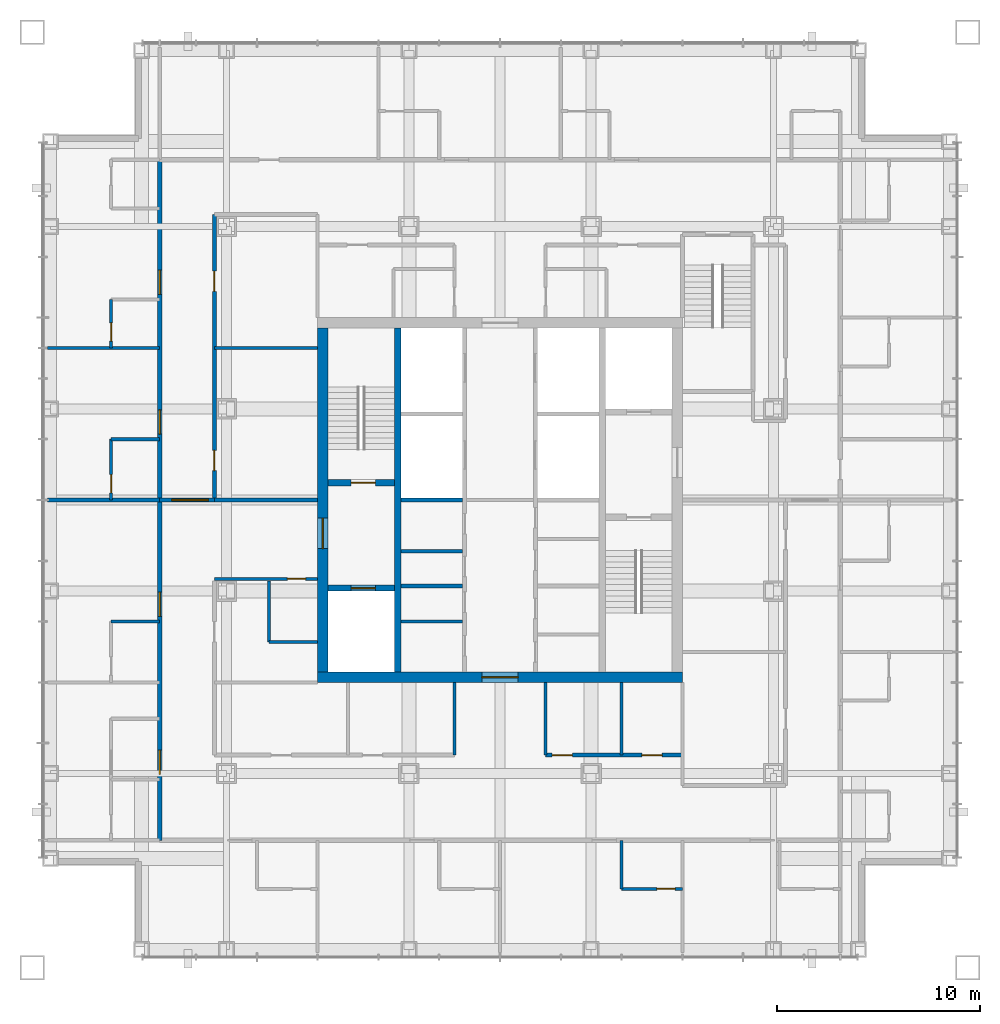
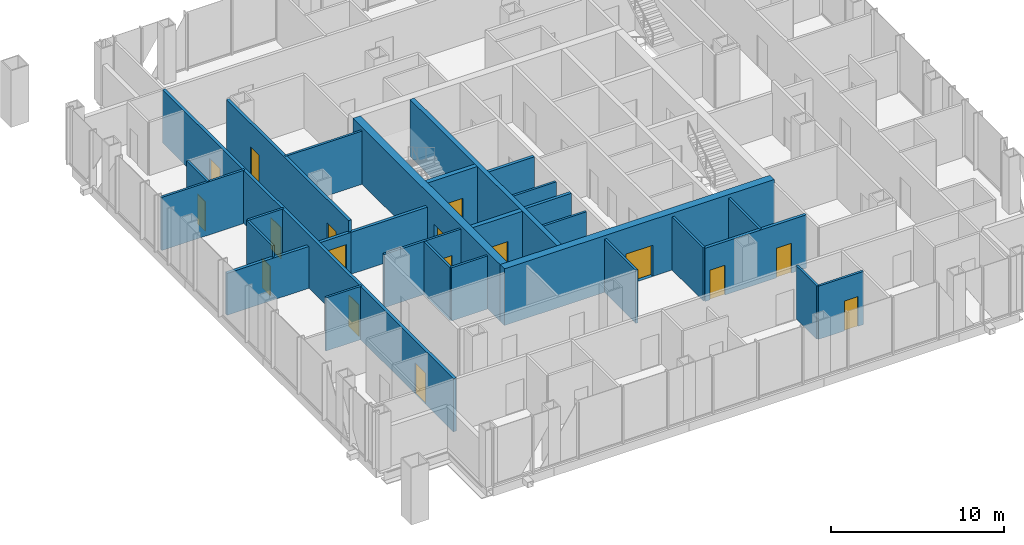
# One storey, part 8 of 12: 29 walls, 17 doors, 17 openings.
"""IFC4 building model written with IfcOpenShell, lengths in metres."""

from ifc_helpers import new_model, si_unit, direction, frame, frame_2d, origin, place, context, subcontext, project, spatial, rectangle, extrude, material, layer, layer_set, type_object, element, fill, save


model = new_model("IFC4")

# Units and contexts
model_context = context("Model", 3, precision=1e-05, world=origin(), true_north=direction((0.0, 1.0)))
body_context = subcontext(model_context, "Body", "Model", "MODEL_VIEW")
ifc_project = project(units=[si_unit("LENGTHUNIT", "METRE"), si_unit("AREAUNIT", "SQUARE_METRE"), si_unit("VOLUMEUNIT", "CUBIC_METRE"), si_unit("PLANEANGLEUNIT", "RADIAN"), si_unit("MASSUNIT", "GRAM", prefix="KILO")], contexts=[model_context])

# Site, building, storey
site_placement = place(None, origin())
site = spatial("IfcSite", under=ifc_project, at=site_placement, CompositionType="ELEMENT")
building_placement = place(site_placement, origin())
building = spatial("IfcBuilding", under=site, at=building_placement, Name="Malebo Sky Hospital", CompositionType="ELEMENT")
storey_placement = place(building_placement, frame((0.0, 0.0, 221.0)))
storey = spatial("IfcBuildingStorey", under=building, at=storey_placement, Name="L53", CompositionType="ELEMENT", Elevation=221.0)

# Walls
ifc_material_1 = material(Name="Concrete C80/95", Category="concrete")
ifc_layer_1 = layer(ifc_material_1, 0.199951171875)
ifc_layer_set_1 = layer_set([ifc_layer_1], Name="CORE INNER WALL 200")
wall_type_1 = type_object("IfcWallType", Name="CORE INNER WALL 200", PredefinedType="SHEAR", material=ifc_layer_set_1)
for number, where, z_axis, x_axis, name in (
    (1, (55.10009765625, 57.75, 0.0), (0.0, 0.0, 1.0), (1.0, 0.0, 0.0), "Core wall SW0 L53"),
    (2, (55.10009765625, 62.0, 0.0), (0.0, 0.0, 1.0), (1.0, 0.0, 0.0), "Core wall SW1 L53"),
):
    element("IfcWall", number, at=place(storey_placement, frame(where, z_axis=z_axis, x_axis=x_axis)), inside=storey, type_object=wall_type_1, Name=name, PredefinedType="SHEAR", context=body_context, shape_type="SweptSolid", body=[
        extrude(rectangle(XDim=3.0498046875, YDim=0.199951171875, at=frame_2d((1.52490234375, 0.0))), origin(), (0.0, 0.0, 1.0), 4.0),
    ])
ifc_layer_2 = layer(ifc_material_1, 0.300048828125)
ifc_layer_set_2 = layer_set([ifc_layer_2], Name="CORE INNER WALL 300")
wall_type_2 = type_object("IfcWallType", Name="CORE INNER WALL 300", PredefinedType="SHEAR", material=ifc_layer_set_2)
wall_1_placement = place(storey_placement, frame((54.949951171875, 53.5, 0.0), z_axis=(0.0, 0.0, 1.0), x_axis=(0.0, 1.0, 0.0)))
element("IfcWall", 3, at=wall_1_placement, inside=storey, type_object=wall_type_2, Name="Core wall XW L53", PredefinedType="SHEAR", context=body_context, shape_type="SweptSolid", body=[
    extrude(rectangle(XDim=17.0, YDim=0.300048828125, at=frame_2d((8.5, 0.0))), origin(), (0.0, 0.0, 1.0), 4.0),
])

# Wall, opening, door
wall_2_placement = place(storey_placement, frame((51.5, 62.85009765625, 0.0), z_axis=(0.0, 0.0, 1.0), x_axis=(1.0, 0.0, 0.0)))
wall_2 = element("IfcWall", 4, at=wall_2_placement, inside=storey, type_object=wall_type_2, Name="Core wall W1 L53", PredefinedType="SHEAR", context=body_context, shape_type="SweptSolid", body=[
    extrude(rectangle(XDim=3.300048828125, YDim=0.300048828125, at=frame_2d((1.64990234375, 0.0))), origin(), (0.0, 0.0, 1.0), 4.0),
])
opening_1_placement = place(wall_2_placement, frame((1.14990234375, 0.0, 0.0)))
opening_1 = element("IfcOpeningElement", 5, at=opening_1_placement, cuts=wall_2, Name="Opening D08", PredefinedType="OPENING", context=body_context, shape_type="SweptSolid", body=[
    extrude(rectangle(XDim=1.199951171875, YDim=2.10009765625, at=frame_2d((0.60009765625, 1.050048828125))), frame((0.0, 0.159912109375, 0.0), z_axis=(0.0, -1.0, 0.0), x_axis=(1.0, 0.0, 0.0)), (0.0, 0.0, 1.0), 0.320068359375),
])
ifc_material_2 = material(Name="Hardwood-faced door leaf in steel frame", Category="steel")
door_type_1 = type_object("IfcDoorType", Name="STAIR DOOR 1200", OperationType="SINGLE_SWING_LEFT", PredefinedType="DOOR", material=ifc_material_2)
door_1_placement = place(opening_1_placement, origin())
door_1 = element("IfcDoor", 6, at=door_1_placement, inside=storey, type_object=door_type_1, Name="Stair S1 door", OperationType="SINGLE_SWING_RIGHT", OverallHeight=2.10009765625, OverallWidth=1.199951171875, PredefinedType="DOOR", context=body_context, shape_type="SweptSolid", body=[
    extrude(rectangle(XDim=1.199951171875, YDim=2.10009765625, at=frame_2d((0.60009765625, 1.050048828125))), frame((0.0, 0.02490234375, 0.0), z_axis=(0.0, -1.0, 0.0), x_axis=(1.0, 0.0, 0.0)), (0.0, 0.0, 1.0), 0.050048828125),
])
fill(opening_1, door_1)

wall_3_placement = place(storey_placement, frame((51.5, 57.64990234375, 0.0), z_axis=(0.0, 0.0, 1.0), x_axis=(1.0, 0.0, 0.0)))
wall_3 = element("IfcWall", 7, at=wall_3_placement, inside=storey, type_object=wall_type_2, Name="Core wall W2 L53", PredefinedType="SHEAR", context=body_context, shape_type="SweptSolid", body=[
    extrude(rectangle(XDim=3.300048828125, YDim=0.300048828125, at=frame_2d((1.64990234375, 0.0))), origin(), (0.0, 0.0, 1.0), 4.0),
])
opening_2_placement = place(wall_3_placement, frame((1.14990234375, 0.0, 0.0)))
opening_2 = element("IfcOpeningElement", 8, at=opening_2_placement, cuts=wall_3, Name="Opening LD2", PredefinedType="OPENING", context=body_context, shape_type="SweptSolid", body=[
    extrude(rectangle(XDim=1.199951171875, YDim=2.199951171875, at=frame_2d((0.60009765625, 1.10009765625))), frame((0.0, 0.159912109375, 0.0), z_axis=(0.0, -1.0, 0.0), x_axis=(1.0, 0.0, 0.0)), (0.0, 0.0, 1.0), 0.320068359375),
])
ifc_material_3 = material(Name="Stainless steel sliding landing door", Category="steel")
door_type_2 = type_object("IfcDoorType", Name="FIRE-FIGHTING LIFT LANDING DOOR 1200", OperationType="SLIDING_TO_LEFT", PredefinedType="DOOR", material=ifc_material_3)
door_2_placement = place(opening_2_placement, origin())
door_2 = element("IfcDoor", 9, at=door_2_placement, inside=storey, type_object=door_type_2, Name="Lift FL1 landing door", OperationType="SLIDING_TO_LEFT", OverallHeight=2.199951171875, OverallWidth=1.199951171875, PredefinedType="DOOR", context=body_context, shape_type="SweptSolid", body=[
    extrude(rectangle(XDim=1.199951171875, YDim=2.199951171875, at=frame_2d((0.60009765625, 1.10009765625))), frame((0.0, 0.02490234375, 0.0), z_axis=(0.0, -1.0, 0.0), x_axis=(1.0, 0.0, 0.0)), (0.0, 0.0, 1.0), 0.050048828125),
])
fill(opening_2, door_2)

ifc_layer_3 = layer(ifc_material_1, 0.5)
ifc_layer_set_3 = layer_set([ifc_layer_3], Name="CORE WALL 500")
wall_type_3 = type_object("IfcWallType", Name="CORE WALL 500", PredefinedType="SHEAR", material=ifc_layer_set_3)
wall_4_placement = place(storey_placement, frame((51.0, 53.25, 0.0), z_axis=(0.0, 0.0, 1.0), x_axis=(1.0, 0.0, 0.0)))
wall_4 = element("IfcWall", 10, at=wall_4_placement, inside=storey, type_object=wall_type_3, Name="Core wall S L53", PredefinedType="SHEAR", context=body_context, shape_type="SweptSolid", body=[
    extrude(rectangle(XDim=18.0, YDim=0.5, at=frame_2d((9.0, 0.0))), origin(), (0.0, 0.0, 1.0), 4.0),
])
opening_3_placement = place(wall_4_placement, frame((8.10009765625, 0.0, 0.0)))
opening_3 = element("IfcOpeningElement", 11, at=opening_3_placement, cuts=wall_4, Name="Opening D06", PredefinedType="OPENING", context=body_context, shape_type="SweptSolid", body=[
    extrude(rectangle(XDim=1.800048828125, YDim=2.199951171875, at=frame_2d((0.89990234375, 1.10009765625))), frame((0.0, 0.260009765625, 0.0), z_axis=(0.0, -1.0, 0.0), x_axis=(1.0, 0.0, 0.0)), (0.0, 0.0, 1.0), 0.52001953125),
])
door_type_3 = type_object("IfcDoorType", Name="LOBBY DOOR PAIR 1800", OperationType="DOUBLE_DOOR_SINGLE_SWING", PredefinedType="DOOR", material=ifc_material_2)
door_3_placement = place(opening_3_placement, origin())
door_3 = element("IfcDoor", 12, at=door_3_placement, inside=storey, type_object=door_type_3, Name="Service lobby door south", OperationType="DOUBLE_DOOR_SINGLE_SWING", OverallHeight=2.199951171875, OverallWidth=1.800048828125, PredefinedType="DOOR", context=body_context, shape_type="SweptSolid", body=[
    extrude(rectangle(XDim=1.800048828125, YDim=2.199951171875, at=frame_2d((0.89990234375, 1.10009765625))), frame((0.0, 0.02490234375, 0.0), z_axis=(0.0, -1.0, 0.0), x_axis=(1.0, 0.0, 0.0)), (0.0, 0.0, 1.0), 0.050048828125),
])
fill(opening_3, door_3)

wall_5_placement = place(storey_placement, frame((51.25, 53.5, 0.0), z_axis=(0.0, 0.0, 1.0), x_axis=(0.0, 1.0, 0.0)))
wall_5 = element("IfcWall", 13, at=wall_5_placement, inside=storey, type_object=wall_type_3, Name="Core wall W L53", PredefinedType="SHEAR", context=body_context, shape_type="SweptSolid", body=[
    extrude(rectangle(XDim=17.0, YDim=0.5, at=frame_2d((8.5, 0.0))), origin(), (0.0, 0.0, 1.0), 4.0),
])
opening_4_placement = place(wall_5_placement, frame((6.10009765625, 0.0, 0.0)))
opening_4 = element("IfcOpeningElement", 14, at=opening_4_placement, cuts=wall_5, Name="Opening D07", PredefinedType="OPENING", context=body_context, shape_type="SweptSolid", body=[
    extrude(rectangle(XDim=1.5, YDim=2.199951171875, at=frame_2d((0.75, 1.10009765625))), frame((0.0, 0.260009765625, 0.0), z_axis=(0.0, -1.0, 0.0), x_axis=(1.0, 0.0, 0.0)), (0.0, 0.0, 1.0), 0.52001953125),
])
door_type_4 = type_object("IfcDoorType", Name="FIRE-FIGHTING LOBBY DOOR PAIR 1500", OperationType="DOUBLE_DOOR_SINGLE_SWING", PredefinedType="DOOR", material=ifc_material_2)
door_4_placement = place(opening_4_placement, origin())
door_4 = element("IfcDoor", 15, at=door_4_placement, inside=storey, type_object=door_type_4, Name="Fire-fighting lobby door west", OperationType="DOUBLE_DOOR_SINGLE_SWING", OverallHeight=2.199951171875, OverallWidth=1.5, PredefinedType="DOOR", context=body_context, shape_type="SweptSolid", body=[
    extrude(rectangle(XDim=1.5, YDim=2.199951171875, at=frame_2d((0.75, 1.10009765625))), frame((0.0, 0.02490234375, 0.0), z_axis=(0.0, -1.0, 0.0), x_axis=(1.0, 0.0, 0.0)), (0.0, 0.0, 1.0), 0.050048828125),
])
fill(opening_4, door_4)

# Wall, openings, doors
ifc_material_4 = material(Name="Gypsum board on steel studs", Category="steel")
ifc_layer_4 = layer(ifc_material_4, 0.199951171875)
ifc_layer_set_4 = layer_set([ifc_layer_4], Name="CORRIDOR WALL 200")
wall_type_4 = type_object("IfcWallType", Name="CORRIDOR WALL 200", PredefinedType="PARTITIONING", material=ifc_layer_set_4)
wall_6_placement = place(storey_placement, frame((43.199951171875, 45.199951171875, 0.0), z_axis=(0.0, 0.0, 1.0), x_axis=(0.0, 1.0, 0.0)))
wall_6 = element("IfcWall", 16, at=wall_6_placement, inside=storey, type_object=wall_type_4, Name="Corridor Wall 200 WCO", PredefinedType="PARTITIONING", context=body_context, shape_type="SweptSolid", body=[
    extrude(rectangle(XDim=33.60009765625, YDim=0.199951171875, at=frame_2d((16.800048828125, 0.0))), origin(), (0.0, 0.0, 1.0), 3.75),
])
opening_5_placement = place(wall_6_placement, frame((3.25, 0.0, 0.0)))
opening_5 = element("IfcOpeningElement", 17, at=opening_5_placement, cuts=wall_6, Name="Opening D18", PredefinedType="OPENING", context=body_context, shape_type="SweptSolid", body=[
    extrude(rectangle(XDim=1.199951171875, YDim=2.199951171875, at=frame_2d((0.60009765625, 1.10009765625))), frame((0.0, 0.10986328125, 0.0), z_axis=(0.0, -1.0, 0.0), x_axis=(1.0, 0.0, 0.0)), (0.0, 0.0, 1.0), 0.219970703125),
])
opening_6_placement = place(wall_6_placement, frame((11.050048828125, 0.0, 0.0)))
opening_6 = element("IfcOpeningElement", 18, at=opening_6_placement, cuts=wall_6, Name="Opening D01", PredefinedType="OPENING", context=body_context, shape_type="SweptSolid", body=[
    extrude(rectangle(XDim=1.199951171875, YDim=2.199951171875, at=frame_2d((0.60009765625, 1.10009765625))), frame((0.0, 0.10986328125, 0.0), z_axis=(0.0, -1.0, 0.0), x_axis=(1.0, 0.0, 0.0)), (0.0, 0.0, 1.0), 0.219970703125),
])
opening_7_placement = place(wall_6_placement, frame((20.050048828125, 0.0, 0.0)))
opening_7 = element("IfcOpeningElement", 19, at=opening_7_placement, cuts=wall_6, Name="Opening D01", PredefinedType="OPENING", context=body_context, shape_type="SweptSolid", body=[
    extrude(rectangle(XDim=1.199951171875, YDim=2.199951171875, at=frame_2d((0.60009765625, 1.10009765625))), frame((0.0, 0.10986328125, 0.0), z_axis=(0.0, -1.0, 0.0), x_axis=(1.0, 0.0, 0.0)), (0.0, 0.0, 1.0), 0.219970703125),
])
opening_8_placement = place(wall_6_placement, frame((26.949951171875, 0.0, 0.0)))
opening_8 = element("IfcOpeningElement", 20, at=opening_8_placement, cuts=wall_6, Name="Opening D01", PredefinedType="OPENING", context=body_context, shape_type="SweptSolid", body=[
    extrude(rectangle(XDim=1.199951171875, YDim=2.199951171875, at=frame_2d((0.60009765625, 1.10009765625))), frame((0.0, 0.10986328125, 0.0), z_axis=(0.0, -1.0, 0.0), x_axis=(1.0, 0.0, 0.0)), (0.0, 0.0, 1.0), 0.219970703125),
])
door_type_5 = type_object("IfcDoorType", Name="ANTEROOM DOOR 1200", OperationType="SINGLE_SWING_LEFT", PredefinedType="DOOR", material=ifc_material_2)
door_5_placement = place(opening_5_placement, origin())
door_5 = element("IfcDoor", 21, at=door_5_placement, inside=storey, type_object=door_type_5, Name="Anteroom door", OperationType="SINGLE_SWING_LEFT", OverallHeight=2.199951171875, OverallWidth=1.199951171875, PredefinedType="DOOR", context=body_context, shape_type="SweptSolid", body=[
    extrude(rectangle(XDim=1.199951171875, YDim=2.199951171875, at=frame_2d((0.60009765625, 1.10009765625))), frame((0.0, 0.02490234375, 0.0), z_axis=(0.0, -1.0, 0.0), x_axis=(1.0, 0.0, 0.0)), (0.0, 0.0, 1.0), 0.050048828125),
])
fill(opening_5, door_5)
door_type_6 = type_object("IfcDoorType", Name="BED DOOR 1200", OperationType="SINGLE_SWING_LEFT", PredefinedType="DOOR", material=ifc_material_2)
door_6_placement = place(opening_6_placement, origin())
door_6 = element("IfcDoor", 22, at=door_6_placement, inside=storey, type_object=door_type_6, Name="Two-bed room door", OperationType="SINGLE_SWING_LEFT", OverallHeight=2.199951171875, OverallWidth=1.199951171875, PredefinedType="DOOR", context=body_context, shape_type="SweptSolid", body=[
    extrude(rectangle(XDim=1.199951171875, YDim=2.199951171875, at=frame_2d((0.60009765625, 1.10009765625))), frame((0.0, 0.02490234375, 0.0), z_axis=(0.0, -1.0, 0.0), x_axis=(1.0, 0.0, 0.0)), (0.0, 0.0, 1.0), 0.050048828125),
])
fill(opening_6, door_6)
door_7_placement = place(opening_7_placement, origin())
door_7 = element("IfcDoor", 23, at=door_7_placement, inside=storey, type_object=door_type_6, Name="Two-bed room door", OperationType="SINGLE_SWING_LEFT", OverallHeight=2.199951171875, OverallWidth=1.199951171875, PredefinedType="DOOR", context=body_context, shape_type="SweptSolid", body=[
    extrude(rectangle(XDim=1.199951171875, YDim=2.199951171875, at=frame_2d((0.60009765625, 1.10009765625))), frame((0.0, 0.02490234375, 0.0), z_axis=(0.0, -1.0, 0.0), x_axis=(1.0, 0.0, 0.0)), (0.0, 0.0, 1.0), 0.050048828125),
])
fill(opening_7, door_7)
door_8_placement = place(opening_8_placement, origin())
door_8 = element("IfcDoor", 24, at=door_8_placement, inside=storey, type_object=door_type_6, Name="Four-bed bay door", OperationType="SINGLE_SWING_LEFT", OverallHeight=2.199951171875, OverallWidth=1.199951171875, PredefinedType="DOOR", context=body_context, shape_type="SweptSolid", body=[
    extrude(rectangle(XDim=1.199951171875, YDim=2.199951171875, at=frame_2d((0.60009765625, 1.10009765625))), frame((0.0, 0.02490234375, 0.0), z_axis=(0.0, -1.0, 0.0), x_axis=(1.0, 0.0, 0.0)), (0.0, 0.0, 1.0), 0.050048828125),
])
fill(opening_8, door_8)

wall_7_placement = place(storey_placement, frame((45.89990234375, 62.0, 0.0), z_axis=(0.0, 0.0, 1.0), x_axis=(0.0, 1.0, 0.0)))
wall_7 = element("IfcWall", 25, at=wall_7_placement, inside=storey, type_object=wall_type_4, Name="Corridor Wall 200 WCI2", PredefinedType="PARTITIONING", context=body_context, shape_type="SweptSolid", body=[
    extrude(rectangle(XDim=14.10009765625, YDim=0.199951171875, at=frame_2d((7.050048828125, 0.0))), origin(), (0.0, 0.0, 1.0), 3.75),
])
opening_9_placement = place(wall_7_placement, frame((1.449951171875, 0.0, 0.0)))
opening_9 = element("IfcOpeningElement", 26, at=opening_9_placement, cuts=wall_7, Name="Opening D03", PredefinedType="OPENING", context=body_context, shape_type="SweptSolid", body=[
    extrude(rectangle(XDim=1.0, YDim=2.10009765625, at=frame_2d((0.5, 1.050048828125))), frame((0.0, 0.10986328125, 0.0), z_axis=(0.0, -1.0, 0.0), x_axis=(1.0, 0.0, 0.0)), (0.0, 0.0, 1.0), 0.219970703125),
])
opening_10_placement = place(wall_7_placement, frame((10.300048828125, 0.0, 0.0)))
opening_10 = element("IfcOpeningElement", 27, at=opening_10_placement, cuts=wall_7, Name="Opening D03", PredefinedType="OPENING", context=body_context, shape_type="SweptSolid", body=[
    extrude(rectangle(XDim=1.0, YDim=2.10009765625, at=frame_2d((0.5, 1.050048828125))), frame((0.0, 0.10986328125, 0.0), z_axis=(0.0, -1.0, 0.0), x_axis=(1.0, 0.0, 0.0)), (0.0, 0.0, 1.0), 0.219970703125),
])
door_type_7 = type_object("IfcDoorType", Name="ROOM DOOR 1000", OperationType="SINGLE_SWING_LEFT", PredefinedType="DOOR", material=ifc_material_2)
door_9_placement = place(opening_9_placement, origin())
door_9 = element("IfcDoor", 28, at=door_9_placement, inside=storey, type_object=door_type_7, Name="Nurse station door", OperationType="SINGLE_SWING_LEFT", OverallHeight=2.10009765625, OverallWidth=1.0, PredefinedType="DOOR", context=body_context, shape_type="SweptSolid", body=[
    extrude(rectangle(XDim=1.0, YDim=2.10009765625, at=frame_2d((0.5, 1.050048828125))), frame((0.0, 0.02490234375, 0.0), z_axis=(0.0, -1.0, 0.0), x_axis=(1.0, 0.0, 0.0)), (0.0, 0.0, 1.0), 0.050048828125),
])
fill(opening_9, door_9)
door_10_placement = place(opening_10_placement, origin())
door_10 = element("IfcDoor", 29, at=door_10_placement, inside=storey, type_object=door_type_7, Name="Milk kitchen door", OperationType="SINGLE_SWING_RIGHT", OverallHeight=2.10009765625, OverallWidth=1.0, PredefinedType="DOOR", context=body_context, shape_type="SweptSolid", body=[
    extrude(rectangle(XDim=1.0, YDim=2.10009765625, at=frame_2d((0.5, 1.050048828125))), frame((0.0, 0.02490234375, 0.0), z_axis=(0.0, -1.0, 0.0), x_axis=(1.0, 0.0, 0.0)), (0.0, 0.0, 1.0), 0.050048828125),
])
fill(opening_10, door_10)

wall_8_placement = place(storey_placement, frame((69.0, 49.39990234375, 0.0), z_axis=(0.0, 0.0, 1.0), x_axis=(-1.0, 0.0, 0.0)))
wall_8 = element("IfcWall", 30, at=wall_8_placement, inside=storey, type_object=wall_type_4, Name="Corridor Wall 200 SCI1", PredefinedType="PARTITIONING", context=body_context, shape_type="SweptSolid", body=[
    extrude(rectangle(XDim=6.75, YDim=0.199951171875, at=frame_2d((3.375, 0.0))), origin(), (0.0, 0.0, 1.0), 3.75),
])
opening_11_placement = place(wall_8_placement, frame((1.0, 0.0, 0.0)))
opening_11 = element("IfcOpeningElement", 31, at=opening_11_placement, cuts=wall_8, Name="Opening D03", PredefinedType="OPENING", context=body_context, shape_type="SweptSolid", body=[
    extrude(rectangle(XDim=1.0, YDim=2.10009765625, at=frame_2d((0.5, 1.050048828125))), frame((0.0, 0.10986328125, 0.0), z_axis=(0.0, -1.0, 0.0), x_axis=(1.0, 0.0, 0.0)), (0.0, 0.0, 1.0), 0.219970703125),
])
opening_12_placement = place(wall_8_placement, frame((5.425048828125, 0.0, 0.0)))
opening_12 = element("IfcOpeningElement", 32, at=opening_12_placement, cuts=wall_8, Name="Opening D03", PredefinedType="OPENING", context=body_context, shape_type="SweptSolid", body=[
    extrude(rectangle(XDim=1.0, YDim=2.10009765625, at=frame_2d((0.5, 1.050048828125))), frame((0.0, 0.10986328125, 0.0), z_axis=(0.0, -1.0, 0.0), x_axis=(1.0, 0.0, 0.0)), (0.0, 0.0, 1.0), 0.219970703125),
])
door_11_placement = place(opening_11_placement, origin())
door_11 = element("IfcDoor", 33, at=door_11_placement, inside=storey, type_object=door_type_7, Name="Linen store door", OperationType="SINGLE_SWING_LEFT", OverallHeight=2.10009765625, OverallWidth=1.0, PredefinedType="DOOR", context=body_context, shape_type="SweptSolid", body=[
    extrude(rectangle(XDim=1.0, YDim=2.10009765625, at=frame_2d((0.5, 1.050048828125))), frame((0.0, 0.02490234375, 0.0), z_axis=(0.0, -1.0, 0.0), x_axis=(1.0, 0.0, 0.0)), (0.0, 0.0, 1.0), 0.050048828125),
])
fill(opening_11, door_11)
door_12_placement = place(opening_12_placement, origin())
door_12 = element("IfcDoor", 34, at=door_12_placement, inside=storey, type_object=door_type_7, Name="Equipment store door", OperationType="SINGLE_SWING_RIGHT", OverallHeight=2.10009765625, OverallWidth=1.0, PredefinedType="DOOR", context=body_context, shape_type="SweptSolid", body=[
    extrude(rectangle(XDim=1.0, YDim=2.10009765625, at=frame_2d((0.5, 1.050048828125))), frame((0.0, 0.02490234375, 0.0), z_axis=(0.0, -1.0, 0.0), x_axis=(1.0, 0.0, 0.0)), (0.0, 0.0, 1.0), 0.050048828125),
])
fill(opening_12, door_12)

# Walls
ifc_layer_5 = layer(ifc_material_4, 0.14990234375)
ifc_layer_set_5 = layer_set([ifc_layer_5], Name="PARTITION 150")
wall_type_5 = type_object("IfcWallType", Name="PARTITION 150", PredefinedType="PARTITIONING", material=ifc_layer_set_5)
wall_9_placement = place(storey_placement, frame((43.199951171875, 69.5, 0.0), z_axis=(0.0, 0.0, 1.0), x_axis=(-1.0, 0.0, 0.0)))
element("IfcWall", 35, at=wall_9_placement, inside=storey, type_object=wall_type_5, Name="Partition 150 WP+7.5", PredefinedType="PARTITIONING", context=body_context, shape_type="SweptSolid", body=[
    extrude(rectangle(XDim=5.550048828125, YDim=0.14990234375, at=frame_2d((2.77490234375, 0.0))), origin(), (0.0, 0.0, 1.0), 3.75),
])
wall_10_placement = place(storey_placement, frame((43.199951171875, 56.0, 0.0), z_axis=(0.0, 0.0, 1.0), x_axis=(-1.0, 0.0, 0.0)))
element("IfcWall", 36, at=wall_10_placement, inside=storey, type_object=wall_type_5, Name="Partition 150 WE1S", PredefinedType="PARTITIONING", context=body_context, shape_type="SweptSolid", body=[
    extrude(rectangle(XDim=2.39990234375, YDim=0.14990234375, at=frame_2d((1.199951171875, 0.0))), origin(), (0.0, 0.0, 1.0), 3.75),
])

# Wall, opening, door
wall_11_placement = place(storey_placement, frame((40.800048828125, 62.0, 0.0), z_axis=(0.0, 0.0, 1.0), x_axis=(0.0, 1.0, 0.0)))
wall_11 = element("IfcWall", 37, at=wall_11_placement, inside=storey, type_object=wall_type_5, Name="Partition 150 WE2F", PredefinedType="PARTITIONING", context=body_context, shape_type="SweptSolid", body=[
    extrude(rectangle(XDim=3.0, YDim=0.14990234375, at=frame_2d((1.5, 0.0))), origin(), (0.0, 0.0, 1.0), 3.75),
])
opening_13_placement = place(wall_11_placement, frame((0.35009765625, 0.0, 0.0)))
opening_13 = element("IfcOpeningElement", 38, at=opening_13_placement, cuts=wall_11, Name="Opening D02", PredefinedType="OPENING", context=body_context, shape_type="SweptSolid", body=[
    extrude(rectangle(XDim=0.89990234375, YDim=2.10009765625, at=frame_2d((0.449951171875, 1.050048828125))), frame((0.0, 0.0849609375, 0.0), z_axis=(0.0, -1.0, 0.0), x_axis=(1.0, 0.0, 0.0)), (0.0, 0.0, 1.0), 0.169921875),
])
door_type_8 = type_object("IfcDoorType", Name="EN-SUITE DOOR 900", OperationType="SINGLE_SWING_LEFT", PredefinedType="DOOR", material=ifc_material_2)
door_13_placement = place(opening_13_placement, origin())
door_13 = element("IfcDoor", 39, at=door_13_placement, inside=storey, type_object=door_type_8, Name="En-suite door", OperationType="SINGLE_SWING_LEFT", OverallHeight=2.10009765625, OverallWidth=0.89990234375, PredefinedType="DOOR", context=body_context, shape_type="SweptSolid", body=[
    extrude(rectangle(XDim=0.89990234375, YDim=2.10009765625, at=frame_2d((0.449951171875, 1.050048828125))), frame((0.0, 0.02490234375, 0.0), z_axis=(0.0, -1.0, 0.0), x_axis=(1.0, 0.0, 0.0)), (0.0, 0.0, 1.0), 0.050048828125),
])
fill(opening_13, door_13)

# Wall
wall_12_placement = place(storey_placement, frame((43.199951171875, 65.0, 0.0), z_axis=(0.0, 0.0, 1.0), x_axis=(-1.0, 0.0, 0.0)))
element("IfcWall", 40, at=wall_12_placement, inside=storey, type_object=wall_type_5, Name="Partition 150 WE2S", PredefinedType="PARTITIONING", context=body_context, shape_type="SweptSolid", body=[
    extrude(rectangle(XDim=2.39990234375, YDim=0.14990234375, at=frame_2d((1.199951171875, 0.0))), origin(), (0.0, 0.0, 1.0), 3.75),
])

# Wall, opening, door
wall_13_placement = place(storey_placement, frame((40.800048828125, 69.5, 0.0), z_axis=(0.0, 0.0, 1.0), x_axis=(0.0, 1.0, 0.0)))
wall_13 = element("IfcWall", 41, at=wall_13_placement, inside=storey, type_object=wall_type_5, Name="Partition 150 WE3F", PredefinedType="PARTITIONING", context=body_context, shape_type="SweptSolid", body=[
    extrude(rectangle(XDim=2.39990234375, YDim=0.14990234375, at=frame_2d((1.199951171875, 0.0))), origin(), (0.0, 0.0, 1.0), 3.75),
])
opening_14_placement = place(wall_13_placement, frame((0.35009765625, 0.0, 0.0)))
opening_14 = element("IfcOpeningElement", 42, at=opening_14_placement, cuts=wall_13, Name="Opening D02", PredefinedType="OPENING", context=body_context, shape_type="SweptSolid", body=[
    extrude(rectangle(XDim=0.89990234375, YDim=2.10009765625, at=frame_2d((0.449951171875, 1.050048828125))), frame((0.0, 0.0849609375, 0.0), z_axis=(0.0, -1.0, 0.0), x_axis=(1.0, 0.0, 0.0)), (0.0, 0.0, 1.0), 0.169921875),
])
door_14_placement = place(opening_14_placement, origin())
door_14 = element("IfcDoor", 43, at=door_14_placement, inside=storey, type_object=door_type_8, Name="En-suite door", OperationType="SINGLE_SWING_LEFT", OverallHeight=2.10009765625, OverallWidth=0.89990234375, PredefinedType="DOOR", context=body_context, shape_type="SweptSolid", body=[
    extrude(rectangle(XDim=0.89990234375, YDim=2.10009765625, at=frame_2d((0.449951171875, 1.050048828125))), frame((0.0, 0.02490234375, 0.0), z_axis=(0.0, -1.0, 0.0), x_axis=(1.0, 0.0, 0.0)), (0.0, 0.0, 1.0), 0.050048828125),
])
fill(opening_14, door_14)

wall_14_placement = place(storey_placement, frame((51.0, 58.10009765625, 0.0), z_axis=(0.0, 0.0, 1.0), x_axis=(-1.0, 0.0, 0.0)))
wall_14 = element("IfcWall", 44, at=wall_14_placement, inside=storey, type_object=wall_type_5, Name="Partition 150 WSPA", PredefinedType="PARTITIONING", context=body_context, shape_type="SweptSolid", body=[
    extrude(rectangle(XDim=5.10009765625, YDim=0.14990234375, at=frame_2d((2.550048828125, 0.0))), origin(), (0.0, 0.0, 1.0), 3.75),
])
opening_15_placement = place(wall_14_placement, frame((0.60009765625, 0.0, 0.0)))
opening_15 = element("IfcOpeningElement", 45, at=opening_15_placement, cuts=wall_14, Name="Opening D04", PredefinedType="OPENING", context=body_context, shape_type="SweptSolid", body=[
    extrude(rectangle(XDim=0.89990234375, YDim=2.10009765625, at=frame_2d((0.449951171875, 1.050048828125))), frame((0.0, 0.0849609375, 0.0), z_axis=(0.0, -1.0, 0.0), x_axis=(1.0, 0.0, 0.0)), (0.0, 0.0, 1.0), 0.169921875),
])
door_type_9 = type_object("IfcDoorType", Name="ROOM DOOR 900", OperationType="SINGLE_SWING_LEFT", PredefinedType="DOOR", material=ifc_material_2)
door_15_placement = place(opening_15_placement, origin())
door_15 = element("IfcDoor", 46, at=door_15_placement, inside=storey, type_object=door_type_9, Name="Cleaner's room door", OperationType="SINGLE_SWING_LEFT", OverallHeight=2.10009765625, OverallWidth=0.89990234375, PredefinedType="DOOR", context=body_context, shape_type="SweptSolid", body=[
    extrude(rectangle(XDim=0.89990234375, YDim=2.10009765625, at=frame_2d((0.449951171875, 1.050048828125))), frame((0.0, 0.02490234375, 0.0), z_axis=(0.0, -1.0, 0.0), x_axis=(1.0, 0.0, 0.0)), (0.0, 0.0, 1.0), 0.050048828125),
])
fill(opening_15, door_15)

# Walls
wall_15_placement = place(storey_placement, frame((51.0, 69.5, 0.0), z_axis=(0.0, 0.0, 1.0), x_axis=(-1.0, 0.0, 0.0)))
element("IfcWall", 47, at=wall_15_placement, inside=storey, type_object=wall_type_5, Name="Partition 150 WSP+7.5", PredefinedType="PARTITIONING", context=body_context, shape_type="SweptSolid", body=[
    extrude(rectangle(XDim=5.10009765625, YDim=0.14990234375, at=frame_2d((2.550048828125, 0.0))), origin(), (0.0, 0.0, 1.0), 3.75),
])
wall_16_placement = place(storey_placement, frame((48.60009765625, 55.0, 0.0), z_axis=(0.0, 0.0, 1.0), x_axis=(0.0, 1.0, 0.0)))
element("IfcWall", 48, at=wall_16_placement, inside=storey, type_object=wall_type_5, Name="Partition 150 WSX0", PredefinedType="PARTITIONING", context=body_context, shape_type="SweptSolid", body=[
    extrude(rectangle(XDim=3.0, YDim=0.14990234375, at=frame_2d((1.5, 0.0))), origin(), (0.0, 0.0, 1.0), 3.75),
])
wall_17_placement = place(storey_placement, frame((51.0, 55.0, 0.0), z_axis=(0.0, 0.0, 1.0), x_axis=(-1.0, 0.0, 0.0)))
element("IfcWall", 49, at=wall_17_placement, inside=storey, type_object=wall_type_5, Name="Partition 150 WSY0", PredefinedType="PARTITIONING", context=body_context, shape_type="SweptSolid", body=[
    extrude(rectangle(XDim=2.39990234375, YDim=0.14990234375, at=frame_2d((1.199951171875, 0.0))), origin(), (0.0, 0.0, 1.0), 3.75),
])

# Wall, opening, door
wall_18_placement = place(storey_placement, frame((69.0, 42.800048828125, 0.0), z_axis=(0.0, 0.0, 1.0), x_axis=(-1.0, 0.0, 0.0)))
wall_18 = element("IfcWall", 50, at=wall_18_placement, inside=storey, type_object=wall_type_5, Name="Partition 150 SE1F", PredefinedType="PARTITIONING", context=body_context, shape_type="SweptSolid", body=[
    extrude(rectangle(XDim=3.0, YDim=0.14990234375, at=frame_2d((1.5, 0.0))), origin(), (0.0, 0.0, 1.0), 3.75),
])
opening_16_placement = place(wall_18_placement, frame((0.35009765625, 0.0, 0.0)))
opening_16 = element("IfcOpeningElement", 51, at=opening_16_placement, cuts=wall_18, Name="Opening D02", PredefinedType="OPENING", context=body_context, shape_type="SweptSolid", body=[
    extrude(rectangle(XDim=0.89990234375, YDim=2.10009765625, at=frame_2d((0.449951171875, 1.050048828125))), frame((0.0, 0.0849609375, 0.0), z_axis=(0.0, -1.0, 0.0), x_axis=(1.0, 0.0, 0.0)), (0.0, 0.0, 1.0), 0.169921875),
])
door_16_placement = place(opening_16_placement, origin())
door_16 = element("IfcDoor", 52, at=door_16_placement, inside=storey, type_object=door_type_8, Name="En-suite door", OperationType="SINGLE_SWING_LEFT", OverallHeight=2.10009765625, OverallWidth=0.89990234375, PredefinedType="DOOR", context=body_context, shape_type="SweptSolid", body=[
    extrude(rectangle(XDim=0.89990234375, YDim=2.10009765625, at=frame_2d((0.449951171875, 1.050048828125))), frame((0.0, 0.02490234375, 0.0), z_axis=(0.0, -1.0, 0.0), x_axis=(1.0, 0.0, 0.0)), (0.0, 0.0, 1.0), 0.050048828125),
])
fill(opening_16, door_16)

# Walls
wall_19_placement = place(storey_placement, frame((66.0, 45.199951171875, 0.0), z_axis=(0.0, 0.0, 1.0), x_axis=(0.0, -1.0, 0.0)))
element("IfcWall", 53, at=wall_19_placement, inside=storey, type_object=wall_type_5, Name="Partition 150 SE1S", PredefinedType="PARTITIONING", context=body_context, shape_type="SweptSolid", body=[
    extrude(rectangle(XDim=2.39990234375, YDim=0.14990234375, at=frame_2d((1.199951171875, 0.0))), origin(), (0.0, 0.0, 1.0), 3.75),
])
for number, where, z_axis, x_axis, name in (
    (54, (62.25, 53.0, 0.0), (0.0, 0.0, 1.0), (0.0, -1.0, 0.0), "Partition 150 SSPA"),
    (55, (57.75, 53.0, 0.0), (0.0, 0.0, 1.0), (0.0, -1.0, 0.0), "Partition 150 SSPB"),
    (56, (66.0, 53.0, 0.0), (0.0, 0.0, 1.0), (0.0, -1.0, 0.0), "Partition 150 SSP-6.0"),
):
    element("IfcWall", number, at=place(storey_placement, frame(where, z_axis=z_axis, x_axis=x_axis)), inside=storey, type_object=wall_type_5, Name=name, PredefinedType="PARTITIONING", context=body_context, shape_type="SweptSolid", body=[
        extrude(rectangle(XDim=3.60009765625, YDim=0.14990234375, at=frame_2d((1.800048828125, 0.0))), origin(), (0.0, 0.0, 1.0), 3.75),
    ])
for number, where, z_axis, x_axis, name in (
    (57, (55.10009765625, 55.989990234375, 0.0), (0.0, 0.0, 1.0), (1.0, 0.0, 0.0), "Partition 150 SHW1"),
    (58, (55.10009765625, 59.469970703125, 0.0), (0.0, 0.0, 1.0), (1.0, 0.0, 0.0), "Partition 150 SHW2"),
):
    element("IfcWall", number, at=place(storey_placement, frame(where, z_axis=z_axis, x_axis=x_axis)), inside=storey, type_object=wall_type_5, Name=name, PredefinedType="PARTITIONING", context=body_context, shape_type="SweptSolid", body=[
        extrude(rectangle(XDim=3.0498046875, YDim=0.14990234375, at=frame_2d((1.52490234375, 0.0))), origin(), (0.0, 0.0, 1.0), 3.75),
    ])
ifc_material_5 = material(Name="Concrete blockwork", Category="masonry")
ifc_layer_6 = layer(ifc_material_5, 0.199951171875)
ifc_layer_set_6 = layer_set([ifc_layer_6], Name="SMOKE BARRIER WALL 200")
wall_type_6 = type_object("IfcWallType", Name="SMOKE BARRIER WALL 200", PredefinedType="SOLIDWALL", material=ifc_layer_set_6)
wall_20_placement = place(storey_placement, frame((43.199951171875, 62.0, 0.0), z_axis=(0.0, 0.0, 1.0), x_axis=(-1.0, 0.0, 0.0)))
element("IfcWall", 59, at=wall_20_placement, inside=storey, type_object=wall_type_6, Name="Smoke Barrier Wall 200 WP+0.0", PredefinedType="SOLIDWALL", context=body_context, shape_type="SweptSolid", body=[
    extrude(rectangle(XDim=5.550048828125, YDim=0.199951171875, at=frame_2d((2.77490234375, 0.0))), origin(), (0.0, 0.0, 1.0), 2.949951171875),
])
wall_21_placement = place(storey_placement, frame((51.0, 62.0, 0.0), z_axis=(0.0, 0.0, 1.0), x_axis=(-1.0, 0.0, 0.0)))
element("IfcWall", 60, at=wall_21_placement, inside=storey, type_object=wall_type_6, Name="Smoke Barrier Wall 200 WSPB", PredefinedType="SOLIDWALL", context=body_context, shape_type="SweptSolid", body=[
    extrude(rectangle(XDim=5.10009765625, YDim=0.199951171875, at=frame_2d((2.550048828125, 0.0))), origin(), (0.0, 0.0, 1.0), 2.949951171875),
])

# Wall, opening, door
wall_22_placement = place(storey_placement, frame((45.89990234375, 62.0, 0.0), z_axis=(0.0, 0.0, 1.0), x_axis=(-1.0, 0.0, 0.0)))
wall_22 = element("IfcWall", 61, at=wall_22_placement, inside=storey, type_object=wall_type_6, Name="Smoke Barrier Wall 200 WSB", PredefinedType="SOLIDWALL", context=body_context, shape_type="SweptSolid", body=[
    extrude(rectangle(XDim=2.699951171875, YDim=0.199951171875, at=frame_2d((1.35009765625, 0.0))), origin(), (0.0, 0.0, 1.0), 2.949951171875),
])
opening_17_placement = place(wall_22_placement, frame((0.300048828125, 0.0, 0.0)))
opening_17 = element("IfcOpeningElement", 62, at=opening_17_placement, cuts=wall_22, Name="Opening D05", PredefinedType="OPENING", context=body_context, shape_type="SweptSolid", body=[
    extrude(rectangle(XDim=1.800048828125, YDim=2.199951171875, at=frame_2d((0.89990234375, 1.10009765625))), frame((0.0, 0.10986328125, 0.0), z_axis=(0.0, -1.0, 0.0), x_axis=(1.0, 0.0, 0.0)), (0.0, 0.0, 1.0), 0.219970703125),
])
door_type_10 = type_object("IfcDoorType", Name="SMOKE DOOR PAIR 1800", OperationType="DOUBLE_DOOR_DOUBLE_SWING", PredefinedType="DOOR", material=ifc_material_2)
door_17_placement = place(opening_17_placement, origin())
door_17 = element("IfcDoor", 63, at=door_17_placement, inside=storey, type_object=door_type_10, Name="Smoke compartment door pair", OperationType="DOUBLE_DOOR_DOUBLE_SWING", OverallHeight=2.199951171875, OverallWidth=1.800048828125, PredefinedType="DOOR", context=body_context, shape_type="SweptSolid", body=[
    extrude(rectangle(XDim=1.800048828125, YDim=2.199951171875, at=frame_2d((0.89990234375, 1.10009765625))), frame((0.0, 0.02490234375, 0.0), z_axis=(0.0, -1.0, 0.0), x_axis=(1.0, 0.0, 0.0)), (0.0, 0.0, 1.0), 0.050048828125),
])
fill(opening_17, door_17)

save(model, "model.ifc")
